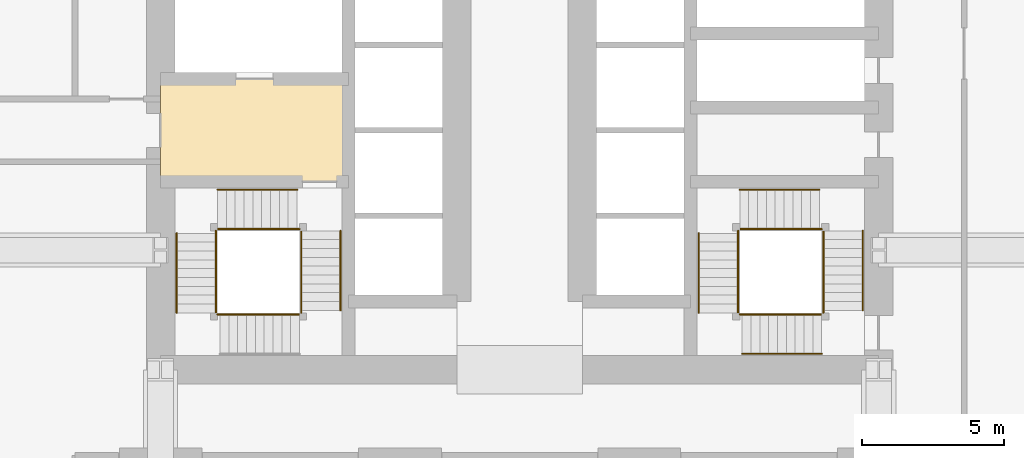
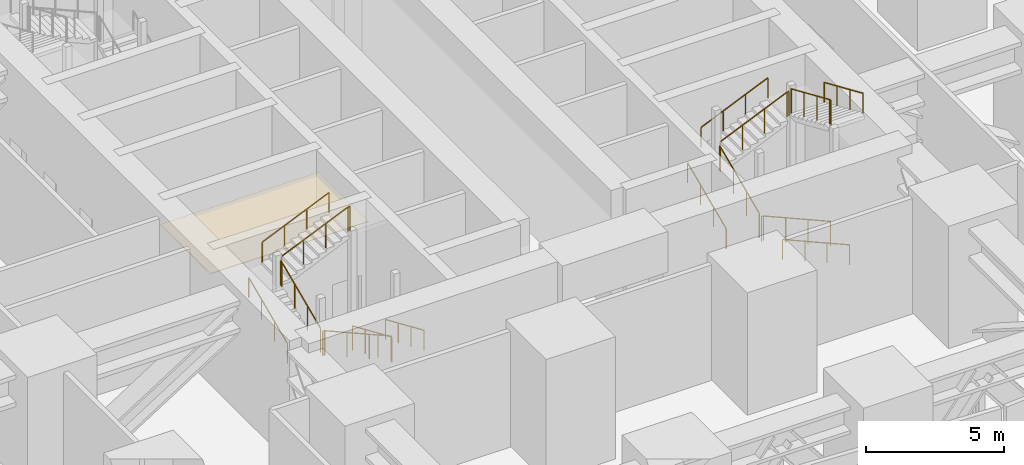
# One storey, part 14 of 16: 23 railings, 1 covering.
"""IFC4 building model written with IfcOpenShell, lengths in metres."""

from ifc_helpers import new_model, si_unit, direction, frame, origin, origin_2d, place, context, subcontext, project, spatial, polyline, circle, outline, extrude, material, layer, layer_set, type_object, element, save


model = new_model("IFC4")

# Units and contexts
model_context = context("Model", 3, precision=1e-05, world=origin(), true_north=direction((0.0, 1.0)))
body_context = subcontext(model_context, "Body", "Model", "MODEL_VIEW")
ifc_project = project(units=[si_unit("LENGTHUNIT", "METRE"), si_unit("AREAUNIT", "SQUARE_METRE"), si_unit("VOLUMEUNIT", "CUBIC_METRE"), si_unit("PLANEANGLEUNIT", "RADIAN"), si_unit("MASSUNIT", "GRAM", prefix="KILO")], contexts=[model_context])

# Site, building, storey
site_placement = place(None, origin())
site = spatial("IfcSite", under=ifc_project, at=site_placement, CompositionType="ELEMENT")
building_placement = place(site_placement, origin())
building = spatial("IfcBuilding", under=site, at=building_placement, Name="Rekha Terrace Tower", CompositionType="ELEMENT")
storey_placement = place(building_placement, frame((0.0, 0.0, 85.39990234375)))
storey = spatial("IfcBuildingStorey", under=building, at=storey_placement, Name="L21", CompositionType="ELEMENT", Elevation=85.39990234375)

# Covering
ifc_material_1 = material(Name="Powder-coated aluminium pan", Category="aluminium")
ifc_layer = layer(ifc_material_1, 0.030029296875)
ifc_layer_set = layer_set([ifc_layer], Name="Powder-coated aluminium pan")
covering_type = type_object("IfcCoveringType", Name="CL3 300x1200 metal pan ceiling", PredefinedType="CEILING", material=ifc_layer_set)
covering_placement = place(storey_placement, frame((0.0, 0.0, 4.170166015625)))
element("IfcCovering", 1, at=covering_placement, inside=storey, type_object=covering_type, Name="Ceiling L21-FLB1", PredefinedType="CEILING", context=body_context, shape_type="SweptSolid", body=[
    extrude(outline(polyline([(31.800048828125, 31.199951171875), (25.199951171875, 31.199951171875), (25.199951171875, 27.60009765625), (31.800048828125, 27.60009765625), (31.800048828125, 31.199951171875)])), origin(), (0.0, 0.0, 1.0), 0.030029296875),
])

# Railings
ifc_material_2 = material(Name="Stainless steel balustrade", Category="steel")
railing_type_1 = type_object("IfcRailingType", Name="GR1 1100 stair guard", PredefinedType="GUARDRAIL", material=ifc_material_2)
railing_1_placement = place(storey_placement, frame((30.135009765625, 25.875, 0.135009765625)))
element("IfcRailing", 2, at=railing_1_placement, inside=storey, type_object=railing_type_1, Name="Guard ST1 L21 flight 1", PredefinedType="GUARDRAIL", context=body_context, shape_type="SweptSolid", body=[
    extrude(circle(Radius=0.02392578125, at=origin_2d()), frame((0.0, 0.0, 1.076171875), z_axis=(0.0, -0.916826272601, 0.399286345707), x_axis=(1.0, 0.0, 0.0)), (0.0, 0.0, 1.0), 3.043212890625),
    extrude(circle(Radius=0.02099609375, at=origin_2d()), origin(), (0.0, 0.0, 1.0), 1.052001953125),
    extrude(circle(Radius=0.02099609375, at=origin_2d()), frame((0.0, -0.929931640625, 0.405029296875)), (0.0, 0.0, 1.0), 1.052001953125),
    extrude(circle(Radius=0.02099609375, at=origin_2d()), frame((0.0, -1.860107421875, 0.81005859375)), (0.0, 0.0, 1.0), 1.052001953125),
    extrude(circle(Radius=0.02099609375, at=origin_2d()), frame((0.0, -2.7900390625, 1.215087890625)), (0.0, 0.0, 1.0), 1.052001953125),
])
railing_2_placement = place(storey_placement, frame((30.074951171875, 22.93994140625, 1.485107421875)))
element("IfcRailing", 3, at=railing_2_placement, inside=storey, type_object=railing_type_1, Name="Guard ST1 L21 flight 2", PredefinedType="GUARDRAIL", context=body_context, shape_type="SweptSolid", body=[
    extrude(circle(Radius=0.02392578125, at=origin_2d()), frame((0.0, 0.0, 1.076171875), z_axis=(-0.916826272601, 0.0, 0.399286345707), x_axis=(0.0, -1.0, 0.0)), (0.0, 0.0, 1.0), 3.043212890625),
    extrude(circle(Radius=0.02099609375, at=origin_2d()), origin(), (0.0, 0.0, 1.0), 1.052001953125),
    extrude(circle(Radius=0.02099609375, at=origin_2d()), frame((-0.929931640625, 0.0, 0.405029296875)), (0.0, 0.0, 1.0), 1.052001953125),
    extrude(circle(Radius=0.02099609375, at=origin_2d()), frame((-1.860107421875, 0.0, 0.81005859375)), (0.0, 0.0, 1.0), 1.052001953125),
    extrude(circle(Radius=0.02099609375, at=origin_2d()), frame((-2.7900390625, 0.0, 1.215087890625)), (0.0, 0.0, 1.0), 1.052001953125),
])
railing_3_placement = place(storey_placement, frame((27.139892578125, 23.0, 2.835205078125)))
element("IfcRailing", 4, at=railing_3_placement, inside=storey, type_object=railing_type_1, Name="Guard ST1 L21 flight 3", PredefinedType="GUARDRAIL", context=body_context, shape_type="SweptSolid", body=[
    extrude(circle(Radius=0.02392578125, at=origin_2d()), frame((0.0, 0.0, 1.076171875), z_axis=(0.0, 0.916855640006, 0.399218906604), x_axis=(-1.0, 0.0, 0.0)), (0.0, 0.0, 1.0), 3.04296875),
    extrude(circle(Radius=0.02099609375, at=origin_2d()), origin(), (0.0, 0.0, 1.0), 1.052001953125),
    extrude(circle(Radius=0.02099609375, at=origin_2d()), frame((0.0, 0.929931640625, 0.405029296875)), (0.0, 0.0, 1.0), 1.052001953125),
    extrude(circle(Radius=0.02099609375, at=origin_2d()), frame((0.0, 1.860107421875, 0.809814453125)), (0.0, 0.0, 1.0), 1.052001953125),
    extrude(circle(Radius=0.02099609375, at=origin_2d()), frame((0.0, 2.7900390625, 1.21484375)), (0.0, 0.0, 1.0), 1.052001953125),
])
railing_4_placement = place(storey_placement, frame((27.199951171875, 25.93505859375, 4.18505859375)))
element("IfcRailing", 5, at=railing_4_placement, inside=storey, type_object=railing_type_1, Name="Guard ST1 L21 flight 4", PredefinedType="GUARDRAIL", context=body_context, shape_type="SweptSolid", body=[
    extrude(circle(Radius=0.02392578125, at=origin_2d()), frame((0.0, 0.0, 1.076171875), z_axis=(0.916826272601, 0.0, 0.399286345707), x_axis=(0.0, 1.0, 0.0)), (0.0, 0.0, 1.0), 3.043212890625),
    extrude(circle(Radius=0.02099609375, at=origin_2d()), origin(), (0.0, 0.0, 1.0), 1.052001953125),
    extrude(circle(Radius=0.02099609375, at=origin_2d()), frame((0.929931640625, 0.0, 0.405029296875)), (0.0, 0.0, 1.0), 1.052001953125),
    extrude(circle(Radius=0.02099609375, at=origin_2d()), frame((1.860107421875, 0.0, 0.81005859375)), (0.0, 0.0, 1.0), 1.052001953125),
    extrude(circle(Radius=0.02099609375, at=origin_2d()), frame((2.7900390625, 0.0, 1.215087890625)), (0.0, 0.0, 1.0), 1.052001953125),
])
railing_5_placement = place(storey_placement, frame((30.135009765625, 23.0849609375, 1.35009765625)))
element("IfcRailing", 6, at=railing_5_placement, inside=storey, type_object=railing_type_1, Name="Guard ST1 L21 landing 1", PredefinedType="GUARDRAIL", context=body_context, shape_type="SweptSolid", body=[
    extrude(circle(Radius=0.02392578125, at=origin_2d()), frame((0.0, 0.0, 1.076171875), z_axis=(0.0, -1.0, 0.0), x_axis=(1.0, 0.0, 0.0)), (0.0, 0.0, 1.0), 0.0849609375),
    extrude(circle(Radius=0.02099609375, at=origin_2d()), origin(), (0.0, 0.0, 1.0), 1.052001953125),
    extrude(circle(Radius=0.02099609375, at=origin_2d()), frame((0.0, -0.0849609375, 0.0)), (0.0, 0.0, 1.0), 1.052001953125),
])
railing_6_placement = place(storey_placement, frame((27.284912109375, 22.93994140625, 2.7001953125)))
element("IfcRailing", 7, at=railing_6_placement, inside=storey, type_object=railing_type_1, Name="Guard ST1 L21 landing 2", PredefinedType="GUARDRAIL", context=body_context, shape_type="SweptSolid", body=[
    extrude(circle(Radius=0.02392578125, at=origin_2d()), frame((0.0, 0.0, 1.076171875), z_axis=(-1.0, 0.0, 0.0), x_axis=(0.0, -1.0, 0.0)), (0.0, 0.0, 1.0), 0.0849609375),
    extrude(circle(Radius=0.02099609375, at=origin_2d()), origin(), (0.0, 0.0, 1.0), 1.052001953125),
    extrude(circle(Radius=0.02099609375, at=origin_2d()), frame((-0.0849609375, 0.0, 0.0)), (0.0, 0.0, 1.0), 1.052001953125),
])
railing_7_placement = place(storey_placement, frame((27.139892578125, 25.875, 4.050048828125)))
element("IfcRailing", 8, at=railing_7_placement, inside=storey, type_object=railing_type_1, Name="Guard ST1 L21 landing 3", PredefinedType="GUARDRAIL", context=body_context, shape_type="SweptSolid", body=[
    extrude(circle(Radius=0.02392578125, at=origin_2d()), frame((0.0, 0.0, 1.076171875), z_axis=(0.0, -1.0, 0.0), x_axis=(1.0, 0.0, 0.0)), (0.0, 0.0, 1.0), 0.0849609375),
    extrude(circle(Radius=0.02099609375, at=origin_2d()), origin(), (0.0, 0.0, 1.0), 1.052001953125),
    extrude(circle(Radius=0.02099609375, at=origin_2d()), frame((0.0, -0.0849609375, 0.0)), (0.0, 0.0, 1.0), 1.052001953125),
])
railing_8_placement = place(storey_placement, frame((30.074951171875, 25.93505859375, 5.400146484375)))
element("IfcRailing", 9, at=railing_8_placement, inside=storey, type_object=railing_type_1, Name="Guard ST1 L21 landing 4", PredefinedType="GUARDRAIL", context=body_context, shape_type="SweptSolid", body=[
    extrude(circle(Radius=0.02392578125, at=origin_2d()), frame((0.0, 0.0, 1.076171875), z_axis=(-1.0, 0.0, 0.0), x_axis=(0.0, -1.0, 0.0)), (0.0, 0.0, 1.0), 0.0849609375),
    extrude(circle(Radius=0.02099609375, at=origin_2d()), origin(), (0.0, 0.0, 1.0), 1.052001953125),
    extrude(circle(Radius=0.02099609375, at=origin_2d()), frame((-0.0849609375, 0.0, 0.0)), (0.0, 0.0, 1.0), 1.052001953125),
])
railing_9_placement = place(storey_placement, frame((48.39990234375, 22.93994140625, 0.135009765625)))
element("IfcRailing", 10, at=railing_9_placement, inside=storey, type_object=railing_type_1, Name="Guard ST3 L21 flight 1", PredefinedType="GUARDRAIL", context=body_context, shape_type="SweptSolid", body=[
    extrude(circle(Radius=0.02392578125, at=origin_2d()), frame((0.0, 0.0, 1.076171875), z_axis=(-0.916813480743, 0.0, 0.399315716606), x_axis=(0.0, -1.0, 0.0)), (0.0, 0.0, 1.0), 3.04296875),
    extrude(circle(Radius=0.02099609375, at=origin_2d()), origin(), (0.0, 0.0, 1.0), 1.052001953125),
    extrude(circle(Radius=0.02099609375, at=origin_2d()), frame((-0.929931640625, 0.0, 0.405029296875)), (0.0, 0.0, 1.0), 1.052001953125),
    extrude(circle(Radius=0.02099609375, at=origin_2d()), frame((-1.85986328125, 0.0, 0.81005859375)), (0.0, 0.0, 1.0), 1.052001953125),
    extrude(circle(Radius=0.02099609375, at=origin_2d()), frame((-2.789794921875, 0.0, 1.215087890625)), (0.0, 0.0, 1.0), 1.052001953125),
])
railing_10_placement = place(storey_placement, frame((45.465087890625, 23.0, 1.485107421875)))
element("IfcRailing", 11, at=railing_10_placement, inside=storey, type_object=railing_type_1, Name="Guard ST3 L21 flight 2", PredefinedType="GUARDRAIL", context=body_context, shape_type="SweptSolid", body=[
    extrude(circle(Radius=0.02392578125, at=origin_2d()), frame((0.0, 0.0, 1.076171875), z_axis=(0.0, 0.916826272601, 0.399286345707), x_axis=(-1.0, 0.0, 0.0)), (0.0, 0.0, 1.0), 3.043212890625),
    extrude(circle(Radius=0.02099609375, at=origin_2d()), origin(), (0.0, 0.0, 1.0), 1.052001953125),
    extrude(circle(Radius=0.02099609375, at=origin_2d()), frame((0.0, 0.929931640625, 0.405029296875)), (0.0, 0.0, 1.0), 1.052001953125),
    extrude(circle(Radius=0.02099609375, at=origin_2d()), frame((0.0, 1.860107421875, 0.81005859375)), (0.0, 0.0, 1.0), 1.052001953125),
    extrude(circle(Radius=0.02099609375, at=origin_2d()), frame((0.0, 2.7900390625, 1.215087890625)), (0.0, 0.0, 1.0), 1.052001953125),
])
railing_11_placement = place(storey_placement, frame((45.52490234375, 25.93505859375, 2.835205078125)))
element("IfcRailing", 12, at=railing_11_placement, inside=storey, type_object=railing_type_1, Name="Guard ST3 L21 flight 3", PredefinedType="GUARDRAIL", context=body_context, shape_type="SweptSolid", body=[
    extrude(circle(Radius=0.02392578125, at=origin_2d()), frame((0.0, 0.0, 1.076171875), z_axis=(0.916855640006, 0.0, 0.399218906604), x_axis=(0.0, 1.0, 0.0)), (0.0, 0.0, 1.0), 3.04296875),
    extrude(circle(Radius=0.02099609375, at=origin_2d()), origin(), (0.0, 0.0, 1.0), 1.052001953125),
    extrude(circle(Radius=0.02099609375, at=origin_2d()), frame((0.929931640625, 0.0, 0.405029296875)), (0.0, 0.0, 1.0), 1.052001953125),
    extrude(circle(Radius=0.02099609375, at=origin_2d()), frame((1.860107421875, 0.0, 0.809814453125)), (0.0, 0.0, 1.0), 1.052001953125),
    extrude(circle(Radius=0.02099609375, at=origin_2d()), frame((2.7900390625, 0.0, 1.21484375)), (0.0, 0.0, 1.0), 1.052001953125),
])
railing_12_placement = place(storey_placement, frame((48.4599609375, 25.875, 4.18505859375)))
element("IfcRailing", 13, at=railing_12_placement, inside=storey, type_object=railing_type_1, Name="Guard ST3 L21 flight 4", PredefinedType="GUARDRAIL", context=body_context, shape_type="SweptSolid", body=[
    extrude(circle(Radius=0.02392578125, at=origin_2d()), frame((0.0, 0.0, 1.076171875), z_axis=(0.0, -0.916826272601, 0.399286345707), x_axis=(1.0, 0.0, 0.0)), (0.0, 0.0, 1.0), 3.043212890625),
    extrude(circle(Radius=0.02099609375, at=origin_2d()), origin(), (0.0, 0.0, 1.0), 1.052001953125),
    extrude(circle(Radius=0.02099609375, at=origin_2d()), frame((0.0, -0.929931640625, 0.405029296875)), (0.0, 0.0, 1.0), 1.052001953125),
    extrude(circle(Radius=0.02099609375, at=origin_2d()), frame((0.0, -1.860107421875, 0.81005859375)), (0.0, 0.0, 1.0), 1.052001953125),
    extrude(circle(Radius=0.02099609375, at=origin_2d()), frame((0.0, -2.7900390625, 1.215087890625)), (0.0, 0.0, 1.0), 1.052001953125),
])
railing_13_placement = place(storey_placement, frame((45.610107421875, 22.93994140625, 1.35009765625)))
element("IfcRailing", 14, at=railing_13_placement, inside=storey, type_object=railing_type_1, Name="Guard ST3 L21 landing 1", PredefinedType="GUARDRAIL", context=body_context, shape_type="SweptSolid", body=[
    extrude(circle(Radius=0.02392578125, at=origin_2d()), frame((0.0, 0.0, 1.076171875), z_axis=(-1.0, 0.0, 0.0), x_axis=(0.0, -1.0, 0.0)), (0.0, 0.0, 1.0), 0.085205078125),
    extrude(circle(Radius=0.02099609375, at=origin_2d()), origin(), (0.0, 0.0, 1.0), 1.052001953125),
    extrude(circle(Radius=0.02099609375, at=origin_2d()), frame((-0.085205078125, 0.0, 0.0)), (0.0, 0.0, 1.0), 1.052001953125),
])
railing_14_placement = place(storey_placement, frame((45.465087890625, 25.7900390625, 2.7001953125)))
element("IfcRailing", 15, at=railing_14_placement, inside=storey, type_object=railing_type_1, Name="Guard ST3 L21 landing 2", PredefinedType="GUARDRAIL", context=body_context, shape_type="SweptSolid", body=[
    extrude(circle(Radius=0.02392578125, at=origin_2d()), frame((0.0, 0.0, 1.076171875), z_axis=(0.0, 1.0, 0.0), x_axis=(-1.0, 0.0, 0.0)), (0.0, 0.0, 1.0), 0.0849609375),
    extrude(circle(Radius=0.02099609375, at=origin_2d()), origin(), (0.0, 0.0, 1.0), 1.052001953125),
    extrude(circle(Radius=0.02099609375, at=origin_2d()), frame((0.0, 0.0849609375, 0.0)), (0.0, 0.0, 1.0), 1.052001953125),
])
railing_15_placement = place(storey_placement, frame((48.39990234375, 25.93505859375, 4.050048828125)))
element("IfcRailing", 16, at=railing_15_placement, inside=storey, type_object=railing_type_1, Name="Guard ST3 L21 landing 3", PredefinedType="GUARDRAIL", context=body_context, shape_type="SweptSolid", body=[
    extrude(circle(Radius=0.02392578125, at=origin_2d()), frame((0.0, 0.0, 1.076171875), z_axis=(-1.0, 0.0, 0.0), x_axis=(0.0, -1.0, 0.0)), (0.0, 0.0, 1.0), 0.0849609375),
    extrude(circle(Radius=0.02099609375, at=origin_2d()), origin(), (0.0, 0.0, 1.0), 1.052001953125),
    extrude(circle(Radius=0.02099609375, at=origin_2d()), frame((-0.0849609375, 0.0, 0.0)), (0.0, 0.0, 1.0), 1.052001953125),
])
railing_16_placement = place(storey_placement, frame((48.4599609375, 23.0, 5.400146484375)))
element("IfcRailing", 17, at=railing_16_placement, inside=storey, type_object=railing_type_1, Name="Guard ST3 L21 landing 4", PredefinedType="GUARDRAIL", context=body_context, shape_type="SweptSolid", body=[
    extrude(circle(Radius=0.02392578125, at=origin_2d()), frame((0.0, 0.0, 1.076171875), z_axis=(0.0, 1.0, 0.0), x_axis=(-1.0, 0.0, 0.0)), (0.0, 0.0, 1.0), 0.0849609375),
    extrude(circle(Radius=0.02099609375, at=origin_2d()), origin(), (0.0, 0.0, 1.0), 1.052001953125),
    extrude(circle(Radius=0.02099609375, at=origin_2d()), frame((0.0, 0.0849609375, 0.0)), (0.0, 0.0, 1.0), 1.052001953125),
])
ifc_material_3 = material(Name="Stainless steel tube", Category="steel")
railing_type_2 = type_object("IfcRailingType", Name="HR1 900 stair handrail", PredefinedType="HANDRAIL", material=ifc_material_3)
railing_17_placement = place(storey_placement, frame((31.514892578125, 25.875, 0.135009765625)))
element("IfcRailing", 18, at=railing_17_placement, inside=storey, type_object=railing_type_2, Name="Handrail ST1 L21 flight 1", PredefinedType="HANDRAIL", context=body_context, shape_type="SweptSolid", body=[
    extrude(circle(Radius=0.02392578125, at=origin_2d()), frame((0.0, 0.0, 0.8759765625), z_axis=(0.0, -0.916826272601, 0.399286345707), x_axis=(1.0, 0.0, 0.0)), (0.0, 0.0, 1.0), 3.043212890625),
    extrude(circle(Radius=0.02099609375, at=origin_2d()), origin(), (0.0, 0.0, 1.0), 0.851806640625),
    extrude(circle(Radius=0.02099609375, at=origin_2d()), frame((0.0, -0.929931640625, 0.405029296875)), (0.0, 0.0, 1.0), 0.851806640625),
    extrude(circle(Radius=0.02099609375, at=origin_2d()), frame((0.0, -1.860107421875, 0.81005859375)), (0.0, 0.0, 1.0), 0.851806640625),
    extrude(circle(Radius=0.02099609375, at=origin_2d()), frame((0.0, -2.7900390625, 1.215087890625)), (0.0, 0.0, 1.0), 0.851806640625),
])
railing_18_placement = place(storey_placement, frame((25.760009765625, 23.0, 2.835205078125)))
element("IfcRailing", 19, at=railing_18_placement, inside=storey, type_object=railing_type_2, Name="Handrail ST1 L21 flight 3", PredefinedType="HANDRAIL", context=body_context, shape_type="SweptSolid", body=[
    extrude(circle(Radius=0.02392578125, at=origin_2d()), frame((0.0, 0.0, 0.8759765625), z_axis=(0.0, 0.916855640006, 0.399218906604), x_axis=(-1.0, 0.0, 0.0)), (0.0, 0.0, 1.0), 3.04296875),
    extrude(circle(Radius=0.02099609375, at=origin_2d()), origin(), (0.0, 0.0, 1.0), 0.851806640625),
    extrude(circle(Radius=0.02099609375, at=origin_2d()), frame((0.0, 0.929931640625, 0.405029296875)), (0.0, 0.0, 1.0), 0.851806640625),
    extrude(circle(Radius=0.02099609375, at=origin_2d()), frame((0.0, 1.860107421875, 0.809814453125)), (0.0, 0.0, 1.0), 0.851806640625),
    extrude(circle(Radius=0.02099609375, at=origin_2d()), frame((0.0, 2.7900390625, 1.21484375)), (0.0, 0.0, 1.0), 0.851806640625),
])
railing_19_placement = place(storey_placement, frame((27.199951171875, 27.31494140625, 4.18505859375)))
element("IfcRailing", 20, at=railing_19_placement, inside=storey, type_object=railing_type_2, Name="Handrail ST1 L21 flight 4", PredefinedType="HANDRAIL", context=body_context, shape_type="SweptSolid", body=[
    extrude(circle(Radius=0.02392578125, at=origin_2d()), frame((0.0, 0.0, 0.8759765625), z_axis=(0.916826272601, 0.0, 0.399286345707), x_axis=(0.0, 1.0, 0.0)), (0.0, 0.0, 1.0), 3.043212890625),
    extrude(circle(Radius=0.02099609375, at=origin_2d()), origin(), (0.0, 0.0, 1.0), 0.851806640625),
    extrude(circle(Radius=0.02099609375, at=origin_2d()), frame((0.929931640625, 0.0, 0.405029296875)), (0.0, 0.0, 1.0), 0.851806640625),
    extrude(circle(Radius=0.02099609375, at=origin_2d()), frame((1.860107421875, 0.0, 0.81005859375)), (0.0, 0.0, 1.0), 0.851806640625),
    extrude(circle(Radius=0.02099609375, at=origin_2d()), frame((2.7900390625, 0.0, 1.215087890625)), (0.0, 0.0, 1.0), 0.851806640625),
])
railing_20_placement = place(storey_placement, frame((48.39990234375, 21.56005859375, 0.135009765625)))
element("IfcRailing", 21, at=railing_20_placement, inside=storey, type_object=railing_type_2, Name="Handrail ST3 L21 flight 1", PredefinedType="HANDRAIL", context=body_context, shape_type="SweptSolid", body=[
    extrude(circle(Radius=0.02392578125, at=origin_2d()), frame((0.0, 0.0, 0.8759765625), z_axis=(-0.916813480743, 0.0, 0.399315716606), x_axis=(0.0, -1.0, 0.0)), (0.0, 0.0, 1.0), 3.04296875),
    extrude(circle(Radius=0.02099609375, at=origin_2d()), origin(), (0.0, 0.0, 1.0), 0.851806640625),
    extrude(circle(Radius=0.02099609375, at=origin_2d()), frame((-0.929931640625, 0.0, 0.405029296875)), (0.0, 0.0, 1.0), 0.851806640625),
    extrude(circle(Radius=0.02099609375, at=origin_2d()), frame((-1.85986328125, 0.0, 0.81005859375)), (0.0, 0.0, 1.0), 0.851806640625),
    extrude(circle(Radius=0.02099609375, at=origin_2d()), frame((-2.789794921875, 0.0, 1.215087890625)), (0.0, 0.0, 1.0), 0.851806640625),
])
railing_21_placement = place(storey_placement, frame((44.0849609375, 23.0, 1.485107421875)))
element("IfcRailing", 22, at=railing_21_placement, inside=storey, type_object=railing_type_2, Name="Handrail ST3 L21 flight 2", PredefinedType="HANDRAIL", context=body_context, shape_type="SweptSolid", body=[
    extrude(circle(Radius=0.02392578125, at=origin_2d()), frame((0.0, 0.0, 0.8759765625), z_axis=(0.0, 0.916826272601, 0.399286345707), x_axis=(-1.0, 0.0, 0.0)), (0.0, 0.0, 1.0), 3.043212890625),
    extrude(circle(Radius=0.02099609375, at=origin_2d()), origin(), (0.0, 0.0, 1.0), 0.851806640625),
    extrude(circle(Radius=0.02099609375, at=origin_2d()), frame((0.0, 0.929931640625, 0.405029296875)), (0.0, 0.0, 1.0), 0.851806640625),
    extrude(circle(Radius=0.02099609375, at=origin_2d()), frame((0.0, 1.860107421875, 0.81005859375)), (0.0, 0.0, 1.0), 0.851806640625),
    extrude(circle(Radius=0.02099609375, at=origin_2d()), frame((0.0, 2.7900390625, 1.215087890625)), (0.0, 0.0, 1.0), 0.851806640625),
])
railing_22_placement = place(storey_placement, frame((45.52490234375, 27.31494140625, 2.835205078125)))
element("IfcRailing", 23, at=railing_22_placement, inside=storey, type_object=railing_type_2, Name="Handrail ST3 L21 flight 3", PredefinedType="HANDRAIL", context=body_context, shape_type="SweptSolid", body=[
    extrude(circle(Radius=0.02392578125, at=origin_2d()), frame((0.0, 0.0, 0.8759765625), z_axis=(0.916855640006, 0.0, 0.399218906604), x_axis=(0.0, 1.0, 0.0)), (0.0, 0.0, 1.0), 3.04296875),
    extrude(circle(Radius=0.02099609375, at=origin_2d()), origin(), (0.0, 0.0, 1.0), 0.851806640625),
    extrude(circle(Radius=0.02099609375, at=origin_2d()), frame((0.929931640625, 0.0, 0.405029296875)), (0.0, 0.0, 1.0), 0.851806640625),
    extrude(circle(Radius=0.02099609375, at=origin_2d()), frame((1.860107421875, 0.0, 0.809814453125)), (0.0, 0.0, 1.0), 0.851806640625),
    extrude(circle(Radius=0.02099609375, at=origin_2d()), frame((2.7900390625, 0.0, 1.21484375)), (0.0, 0.0, 1.0), 0.851806640625),
])
railing_23_placement = place(storey_placement, frame((49.840087890625, 25.875, 4.18505859375)))
element("IfcRailing", 24, at=railing_23_placement, inside=storey, type_object=railing_type_2, Name="Handrail ST3 L21 flight 4", PredefinedType="HANDRAIL", context=body_context, shape_type="SweptSolid", body=[
    extrude(circle(Radius=0.02392578125, at=origin_2d()), frame((0.0, 0.0, 0.8759765625), z_axis=(0.0, -0.916826272601, 0.399286345707), x_axis=(1.0, 0.0, 0.0)), (0.0, 0.0, 1.0), 3.043212890625),
    extrude(circle(Radius=0.02099609375, at=origin_2d()), origin(), (0.0, 0.0, 1.0), 0.851806640625),
    extrude(circle(Radius=0.02099609375, at=origin_2d()), frame((0.0, -0.929931640625, 0.405029296875)), (0.0, 0.0, 1.0), 0.851806640625),
    extrude(circle(Radius=0.02099609375, at=origin_2d()), frame((0.0, -1.860107421875, 0.81005859375)), (0.0, 0.0, 1.0), 0.851806640625),
    extrude(circle(Radius=0.02099609375, at=origin_2d()), frame((0.0, -2.7900390625, 1.215087890625)), (0.0, 0.0, 1.0), 0.851806640625),
])

save(model, "model.ifc")
